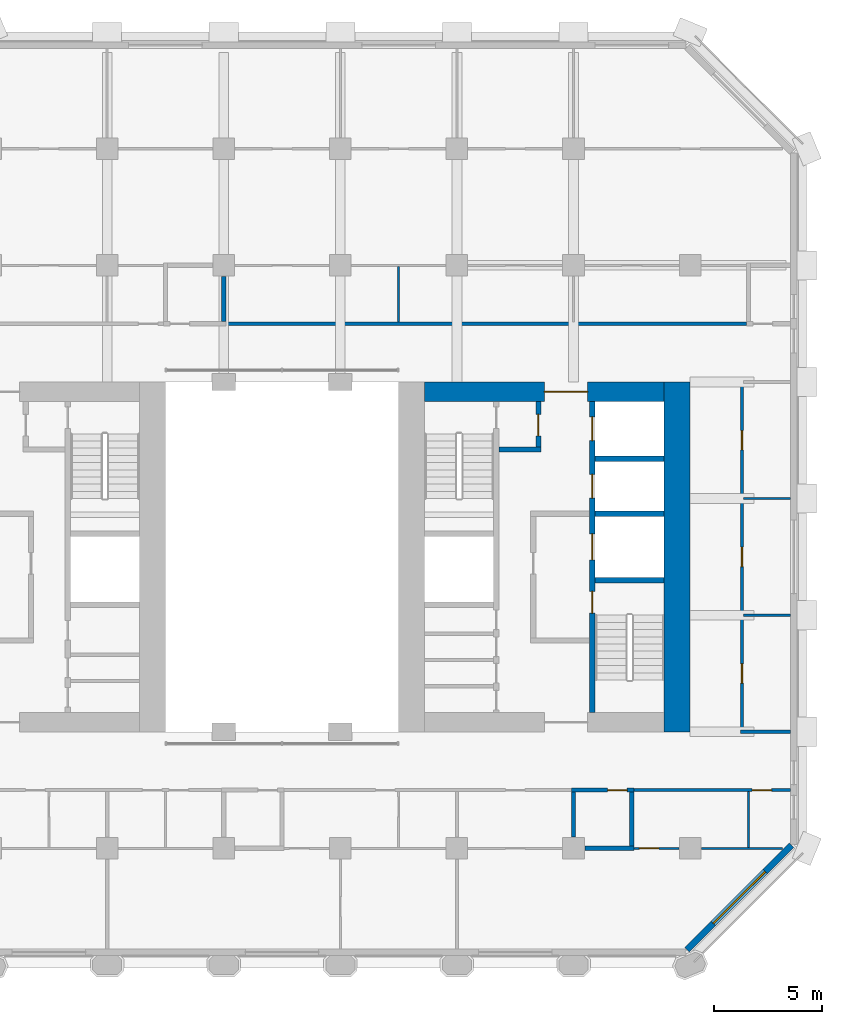
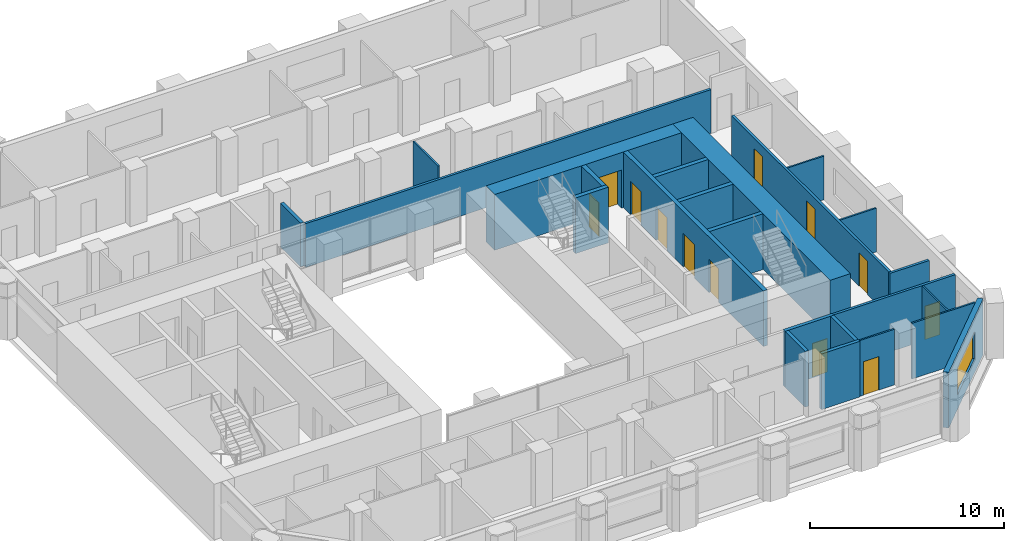
# One storey, part 6 of 11: 24 walls, 12 doors, 1 window, 13 openings.
"""IFC4 building model written with IfcOpenShell, lengths in metres."""

from ifc_helpers import new_model, si_unit, direction, frame, frame_2d, origin, place, context, subcontext, project, spatial, rectangle, extrude, material, layer, layer_set, type_object, element, fill, save


model = new_model("IFC4")

# Units and contexts
model_context = context("Model", 3, precision=1e-05, world=origin(), true_north=direction((0.0, 1.0)))
body_context = subcontext(model_context, "Body", "Model", "MODEL_VIEW")
ifc_project = project(units=[si_unit("LENGTHUNIT", "METRE"), si_unit("AREAUNIT", "SQUARE_METRE"), si_unit("VOLUMEUNIT", "CUBIC_METRE"), si_unit("PLANEANGLEUNIT", "RADIAN"), si_unit("MASSUNIT", "GRAM", prefix="KILO")], contexts=[model_context])

# Site, building, storey
site_placement = place(None, origin())
site = spatial("IfcSite", under=ifc_project, at=site_placement, CompositionType="ELEMENT")
building_placement = place(site_placement, origin())
building = spatial("IfcBuilding", under=site, at=building_placement, Name="Tabaq Tower and Sports Hall", CompositionType="ELEMENT")
storey_placement = place(building_placement, frame((0.0, 0.0, 72.60009765625)))
storey = spatial("IfcBuildingStorey", under=building, at=storey_placement, Name="L16", CompositionType="ELEMENT", Elevation=72.60009765625)

# Wall
ifc_material_1 = material(Name="Concrete C60/75", Category="concrete")
ifc_layer_1 = layer(ifc_material_1, 1.199951171875)
ifc_layer_set_1 = layer_set([ifc_layer_1], Name="Core wall 1200 Concrete C60/75")
wall_type_1 = type_object("IfcWallType", Name="Core wall 1200 Concrete C60/75", PredefinedType="SOLIDWALL", material=ifc_layer_set_1)
wall_1_placement = place(storey_placement, frame((42.60009765625, 32.39990234375, 0.0), z_axis=(0.0, 0.0, 1.0), x_axis=(0.0, -1.0, 0.0)))
element("IfcWall", 1, at=wall_1_placement, inside=storey, type_object=wall_type_1, Name="Core wall E L16", PredefinedType="SOLIDWALL", context=body_context, shape_type="SweptSolid", body=[
    extrude(rectangle(XDim=16.199951171875, YDim=1.199951171875, at=frame_2d((8.10009765625, 0.0))), origin(), (0.0, 0.0, 1.0), 3.5),
])

# Wall, opening, door
ifc_material_2 = material(Name="Concrete C60/75", Category="concrete")
ifc_layer_2 = layer(ifc_material_2, 0.89990234375)
ifc_layer_set_2 = layer_set([ifc_layer_2], Name="Core wall 900 Concrete C60/75")
wall_type_2 = type_object("IfcWallType", Name="Core wall 900 Concrete C60/75", PredefinedType="SOLIDWALL", material=ifc_layer_set_2)
wall_2_placement = place(storey_placement, frame((30.89990234375, 31.949951171875, 0.0), z_axis=(0.0, 0.0, 1.0), x_axis=(1.0, 0.0, 0.0)))
wall_2 = element("IfcWall", 2, at=wall_2_placement, inside=storey, type_object=wall_type_2, Name="Core wall E L16", PredefinedType="SOLIDWALL", context=body_context, shape_type="SweptSolid", body=[
    extrude(rectangle(XDim=11.10009765625, YDim=0.89990234375, at=frame_2d((5.550048828125, 0.0))), origin(), (0.0, 0.0, 1.0), 3.5),
])
opening_1_placement = place(wall_2_placement, frame((5.550048828125, 0.0, 0.0)))
opening_1 = element("IfcOpeningElement", 3, at=opening_1_placement, cuts=wall_2, Name="Opening PD-EL16-02", PredefinedType="OPENING", context=body_context, shape_type="SweptSolid", body=[
    extrude(rectangle(XDim=2.0, YDim=2.39990234375, at=frame_2d((1.0, 1.199951171875))), frame((0.0, 0.449951171875, 0.0), z_axis=(0.0, -1.0, 0.0), x_axis=(1.0, 0.0, 0.0)), (0.0, 0.0, 1.0), 0.89990234375),
])
ifc_material_3 = material(Name="Steel fire door", Category="steel")
door_type_1 = type_object("IfcDoorType", Name="Core entrance door 2000", OperationType="DOUBLE_DOOR_SINGLE_SWING", PredefinedType="DOOR", material=ifc_material_3)
door_1_placement = place(opening_1_placement, origin())
door_1 = element("IfcDoor", 4, at=door_1_placement, inside=storey, type_object=door_type_1, Name="Core entrance north E L16", OperationType="DOUBLE_DOOR_SINGLE_SWING", OverallHeight=2.39990234375, OverallWidth=2.0, PredefinedType="DOOR", context=body_context, shape_type="SweptSolid", body=[
    extrude(rectangle(XDim=2.0, YDim=2.39990234375, at=frame_2d((1.0, 1.199951171875))), frame((0.0, 0.02490234375, 0.0), z_axis=(0.0, -1.0, 0.0), x_axis=(1.0, 0.0, 0.0)), (0.0, 0.0, 1.0), 0.050048828125),
])
fill(opening_1, door_1)

ifc_material_4 = material(Name="Blockwork", Category="masonry")
ifc_layer_3 = layer(ifc_material_4, 0.199951171875)
ifc_layer_set_3 = layer_set([ifc_layer_3], Name="Fire compartment wall 200 Blockwork")
wall_type_3 = type_object("IfcWallType", Name="Fire compartment wall 200 Blockwork", PredefinedType="PARTITIONING", material=ifc_layer_set_3)
wall_3_placement = place(storey_placement, frame((37.699951171875, 13.5, 0.0), z_axis=(0.0, 0.0, 1.0), x_axis=(1.0, 0.0, 0.0)))
wall_3 = element("IfcWall", 5, at=wall_3_placement, inside=storey, type_object=wall_type_3, Name="Compartment wall L16", PredefinedType="PARTITIONING", context=body_context, shape_type="SweptSolid", body=[
    extrude(rectangle(XDim=2.900146484375, YDim=0.199951171875, at=frame_2d((1.4501953125, 0.0))), origin(), (0.0, 0.0, 1.0), 3.5),
])
opening_2_placement = place(wall_3_placement, frame((1.679931640625, 0.0, 0.0)))
opening_2 = element("IfcOpeningElement", 6, at=opening_2_placement, cuts=wall_3, Name="Opening L16-008", PredefinedType="OPENING", context=body_context, shape_type="SweptSolid", body=[
    extrude(rectangle(XDim=0.89990234375, YDim=2.10009765625, at=frame_2d((0.449951171875, 1.050048828125))), frame((0.0, 0.10009765625, 0.0), z_axis=(0.0, -1.0, 0.0), x_axis=(1.0, 0.0, 0.0)), (0.0, 0.0, 1.0), 0.199951171875),
])
ifc_material_5 = material(Name="Steel fire door", Category="steel")
door_type_2 = type_object("IfcDoorType", Name="Plant room door 900 left hand", OperationType="SINGLE_SWING_LEFT", PredefinedType="DOOR", material=ifc_material_5)
door_2_placement = place(opening_2_placement, origin())
door_2 = element("IfcDoor", 7, at=door_2_placement, inside=storey, type_object=door_type_2, Name="Plant room door L16-008", OperationType="SINGLE_SWING_LEFT", OverallHeight=2.10009765625, OverallWidth=0.89990234375, PredefinedType="DOOR", context=body_context, shape_type="SweptSolid", body=[
    extrude(rectangle(XDim=0.89990234375, YDim=2.10009765625, at=frame_2d((0.449951171875, 1.050048828125))), frame((0.0, 0.02490234375, 0.0), z_axis=(0.0, -1.0, 0.0), x_axis=(1.0, 0.0, 0.0)), (0.0, 0.0, 1.0), 0.050048828125),
])
fill(opening_2, door_2)

# Walls
wall_4_placement = place(storey_placement, frame((21.60009765625, 35.199951171875, 0.0), z_axis=(0.0, 0.0, 1.0), x_axis=(0.0, 1.0, 0.0)))
element("IfcWall", 8, at=wall_4_placement, inside=storey, type_object=wall_type_3, Name="Compartment wall L16", PredefinedType="PARTITIONING", context=body_context, shape_type="SweptSolid", body=[
    extrude(rectangle(XDim=2.080078125, YDim=0.199951171875, at=frame_2d((1.0400390625, 0.0))), origin(), (0.0, 0.0, 1.0), 2.75),
])
wall_5_placement = place(storey_placement, frame((37.800048828125, 11.320068359375, 0.0), z_axis=(0.0, 0.0, 1.0), x_axis=(0.0, 1.0, 0.0)))
element("IfcWall", 9, at=wall_5_placement, inside=storey, type_object=wall_type_3, Name="Compartment wall L16", PredefinedType="PARTITIONING", context=body_context, shape_type="SweptSolid", body=[
    extrude(rectangle(XDim=2.079833984375, YDim=0.199951171875, at=frame_2d((1.0400390625, 0.0))), origin(), (0.0, 0.0, 1.0), 3.5),
])
wall_6_placement = place(storey_placement, frame((38.320068359375, 10.800048828125, 0.0), z_axis=(0.0, 0.0, 1.0), x_axis=(1.0, 0.0, 0.0)))
element("IfcWall", 10, at=wall_6_placement, inside=storey, type_object=wall_type_3, Name="Compartment wall L16", PredefinedType="PARTITIONING", context=body_context, shape_type="SweptSolid", body=[
    extrude(rectangle(XDim=2.280029296875, YDim=0.199951171875, at=frame_2d((1.14013671875, 0.0))), origin(), (0.0, 0.0, 1.0), 3.5),
])
wall_7_placement = place(storey_placement, frame((40.5, 10.89990234375, 0.0), z_axis=(0.0, 0.0, 1.0), x_axis=(0.0, 1.0, 0.0)))
element("IfcWall", 11, at=wall_7_placement, inside=storey, type_object=wall_type_3, Name="Compartment wall L16", PredefinedType="PARTITIONING", context=body_context, shape_type="SweptSolid", body=[
    extrude(rectangle(XDim=2.5, YDim=0.199951171875, at=frame_2d((1.25, 0.0))), origin(), (0.0, 0.0, 1.0), 3.5),
])
ifc_material_6 = material(Name="Gypsum board on steel studs", Category="steel")
ifc_layer_4 = layer(ifc_material_6, 0.10009765625)
ifc_layer_set_4 = layer_set([ifc_layer_4], Name="Partition 100 Gypsum board")
wall_type_4 = type_object("IfcWallType", Name="Partition 100 Gypsum board", PredefinedType="PARTITIONING", material=ifc_layer_set_4)
wall_8_placement = place(storey_placement, frame((29.699951171875, 35.175048828125, 0.0), z_axis=(0.0, 0.0, 1.0), x_axis=(0.0, 1.0, 0.0)))
element("IfcWall", 12, at=wall_8_placement, inside=storey, type_object=wall_type_4, Name="Partition wall L16", PredefinedType="PARTITIONING", context=body_context, shape_type="SweptSolid", body=[
    extrude(rectangle(XDim=2.574951171875, YDim=0.10009765625, at=frame_2d((1.28759765625, 0.0))), origin(), (0.0, 0.0, 1.0), 3.5),
])

# Wall, opening, door
wall_9_placement = place(storey_placement, frame((40.60009765625, 10.800048828125, 0.0), z_axis=(0.0, 0.0, 1.0), x_axis=(1.0, 0.0, 0.0)))
wall_9 = element("IfcWall", 13, at=wall_9_placement, inside=storey, type_object=wall_type_4, Name="Partition wall L16", PredefinedType="PARTITIONING", context=body_context, shape_type="SweptSolid", body=[
    extrude(rectangle(XDim=2.079833984375, YDim=0.10009765625, at=frame_2d((1.0400390625, 0.0))), origin(), (0.0, 0.0, 1.0), 3.5),
])
opening_3_placement = place(wall_9_placement, frame((0.25, 0.0, 0.0)))
opening_3 = element("IfcOpeningElement", 14, at=opening_3_placement, cuts=wall_9, Name="Opening L16-027", PredefinedType="OPENING", context=body_context, shape_type="SweptSolid", body=[
    extrude(rectangle(XDim=0.89990234375, YDim=2.10009765625, at=frame_2d((0.449951171875, 1.050048828125))), frame((0.0, 0.050048828125, 0.0), z_axis=(0.0, -1.0, 0.0), x_axis=(1.0, 0.0, 0.0)), (0.0, 0.0, 1.0), 0.10009765625),
])
ifc_material_7 = material(Name="Timber leaf in steel frame", Category="steel")
door_type_3 = type_object("IfcDoorType", Name="Internal door 900 left hand", OperationType="SINGLE_SWING_LEFT", PredefinedType="DOOR", material=ifc_material_7)
door_3_placement = place(opening_3_placement, origin())
door_3 = element("IfcDoor", 15, at=door_3_placement, inside=storey, type_object=door_type_3, Name="Internal door L16-027", OperationType="SINGLE_SWING_LEFT", OverallHeight=2.10009765625, OverallWidth=0.89990234375, PredefinedType="DOOR", context=body_context, shape_type="SweptSolid", body=[
    extrude(rectangle(XDim=0.89990234375, YDim=2.10009765625, at=frame_2d((0.449951171875, 1.050048828125))), frame((0.0, 0.02490234375, 0.0), z_axis=(0.0, -1.0, 0.0), x_axis=(1.0, 0.0, 0.0)), (0.0, 0.0, 1.0), 0.050048828125),
])
fill(opening_3, door_3)

# Walls
wall_10_placement = place(storey_placement, frame((45.89990234375, 10.85009765625, 0.0), z_axis=(0.0, 0.0, 1.0), x_axis=(0.0, 1.0, 0.0)))
element("IfcWall", 16, at=wall_10_placement, inside=storey, type_object=wall_type_4, Name="Partition wall L16", PredefinedType="PARTITIONING", context=body_context, shape_type="SweptSolid", body=[
    extrude(rectangle(XDim=2.574951171875, YDim=0.10009765625, at=frame_2d((1.28759765625, 0.0))), origin(), (0.0, 0.0, 1.0), 3.5),
])
wall_11_placement = place(storey_placement, frame((43.719970703125, 10.800048828125, 0.0), z_axis=(0.0, 0.0, 1.0), x_axis=(1.0, 0.0, 0.0)))
element("IfcWall", 17, at=wall_11_placement, inside=storey, type_object=wall_type_4, Name="Partition wall L16", PredefinedType="PARTITIONING", context=body_context, shape_type="SweptSolid", body=[
    extrude(rectangle(XDim=3.767822265625, YDim=0.10009765625, at=frame_2d((1.8837890625, 0.0))), origin(), (0.0, 0.0, 1.0), 3.5),
])
for number, where, z_axis, x_axis, name in (
    (18, (47.84912109375, 21.60009765625, 0.0), (0.0, 0.0, 1.0), (-1.0, 0.0, 0.0), "Partition wall L16"),
    (19, (47.84912109375, 27.0, 0.0), (0.0, 0.0, 1.0), (-1.0, 0.0, 0.0), "Partition wall L16"),
):
    element("IfcWall", number, at=place(storey_placement, frame(where, z_axis=z_axis, x_axis=x_axis)), inside=storey, type_object=wall_type_4, Name=name, PredefinedType="PARTITIONING", context=body_context, shape_type="SweptSolid", body=[
        extrude(rectangle(XDim=2.174072265625, YDim=0.10009765625, at=frame_2d((1.0869140625, 0.0))), origin(), (0.0, 0.0, 1.0), 2.75),
    ])
ifc_material_8 = material(Name="Blockwork", Category="masonry")
ifc_layer_5 = layer(ifc_material_8, 0.14990234375)
ifc_layer_set_5 = layer_set([ifc_layer_5], Name="Separating wall 150 Blockwork")
wall_type_5 = type_object("IfcWallType", Name="Separating wall 150 Blockwork", PredefinedType="PARTITIONING", material=ifc_layer_set_5)
wall_12_placement = place(storey_placement, frame((47.84912109375, 16.199951171875, 0.0), z_axis=(0.0, 0.0, 1.0), x_axis=(-1.0, 0.0, 0.0)))
element("IfcWall", 20, at=wall_12_placement, inside=storey, type_object=wall_type_5, Name="Separating wall L16", PredefinedType="PARTITIONING", context=body_context, shape_type="SweptSolid", body=[
    extrude(rectangle(XDim=2.32421875, YDim=0.14990234375, at=frame_2d((1.162109375, 0.0))), origin(), (0.0, 0.0, 1.0), 2.75),
])

# Wall, openings, doors
wall_13_placement = place(storey_placement, frame((45.60009765625, 16.27490234375, 0.0), z_axis=(0.0, 0.0, 1.0), x_axis=(0.0, 1.0, 0.0)))
wall_13 = element("IfcWall", 21, at=wall_13_placement, inside=storey, type_object=wall_type_5, Name="Separating wall L16", PredefinedType="PARTITIONING", context=body_context, shape_type="SweptSolid", body=[
    extrude(rectangle(XDim=16.2001953125, YDim=0.14990234375, at=frame_2d((8.10009765625, 0.0))), origin(), (0.0, 0.0, 1.0), 2.75),
])
opening_4_placement = place(wall_13_placement, frame((2.175048828125, 0.0, 0.0)))
opening_4 = element("IfcOpeningElement", 22, at=opening_4_placement, cuts=wall_13, Name="Opening L16-010", PredefinedType="OPENING", context=body_context, shape_type="SweptSolid", body=[
    extrude(rectangle(XDim=0.89990234375, YDim=2.10009765625, at=frame_2d((0.449951171875, 1.050048828125))), frame((0.0, 0.074951171875, 0.0), z_axis=(0.0, -1.0, 0.0), x_axis=(1.0, 0.0, 0.0)), (0.0, 0.0, 1.0), 0.14990234375),
])
opening_5_placement = place(wall_13_placement, frame((7.574951171875, 0.0, 0.0)))
opening_5 = element("IfcOpeningElement", 23, at=opening_5_placement, cuts=wall_13, Name="Opening L16-011", PredefinedType="OPENING", context=body_context, shape_type="SweptSolid", body=[
    extrude(rectangle(XDim=0.89990234375, YDim=2.10009765625, at=frame_2d((0.449951171875, 1.050048828125))), frame((0.0, 0.074951171875, 0.0), z_axis=(0.0, -1.0, 0.0), x_axis=(1.0, 0.0, 0.0)), (0.0, 0.0, 1.0), 0.14990234375),
])
opening_6_placement = place(wall_13_placement, frame((12.97509765625, 0.0, 0.0)))
opening_6 = element("IfcOpeningElement", 24, at=opening_6_placement, cuts=wall_13, Name="Opening L16-012", PredefinedType="OPENING", context=body_context, shape_type="SweptSolid", body=[
    extrude(rectangle(XDim=0.89990234375, YDim=2.10009765625, at=frame_2d((0.449951171875, 1.050048828125))), frame((0.0, 0.074951171875, 0.0), z_axis=(0.0, -1.0, 0.0), x_axis=(1.0, 0.0, 0.0)), (0.0, 0.0, 1.0), 0.14990234375),
])
ifc_material_9 = material(Name="Timber leaf in steel frame", Category="steel")
door_type_4 = type_object("IfcDoorType", Name="Internal door 900 right hand", OperationType="SINGLE_SWING_RIGHT", PredefinedType="DOOR", material=ifc_material_9)
door_4_placement = place(opening_4_placement, origin())
door_4 = element("IfcDoor", 25, at=door_4_placement, inside=storey, type_object=door_type_4, Name="Internal door L16-010", OperationType="SINGLE_SWING_RIGHT", OverallHeight=2.10009765625, OverallWidth=0.89990234375, PredefinedType="DOOR", context=body_context, shape_type="SweptSolid", body=[
    extrude(rectangle(XDim=0.89990234375, YDim=2.10009765625, at=frame_2d((0.449951171875, 1.050048828125))), frame((0.0, 0.02490234375, 0.0), z_axis=(0.0, -1.0, 0.0), x_axis=(1.0, 0.0, 0.0)), (0.0, 0.0, 1.0), 0.050048828125),
])
fill(opening_4, door_4)
door_5_placement = place(opening_5_placement, origin())
door_5 = element("IfcDoor", 26, at=door_5_placement, inside=storey, type_object=door_type_4, Name="Internal door L16-011", OperationType="SINGLE_SWING_RIGHT", OverallHeight=2.10009765625, OverallWidth=0.89990234375, PredefinedType="DOOR", context=body_context, shape_type="SweptSolid", body=[
    extrude(rectangle(XDim=0.89990234375, YDim=2.10009765625, at=frame_2d((0.449951171875, 1.050048828125))), frame((0.0, 0.02490234375, 0.0), z_axis=(0.0, -1.0, 0.0), x_axis=(1.0, 0.0, 0.0)), (0.0, 0.0, 1.0), 0.050048828125),
])
fill(opening_5, door_5)
door_6_placement = place(opening_6_placement, origin())
door_6 = element("IfcDoor", 27, at=door_6_placement, inside=storey, type_object=door_type_4, Name="Internal door L16-012", OperationType="SINGLE_SWING_RIGHT", OverallHeight=2.10009765625, OverallWidth=0.89990234375, PredefinedType="DOOR", context=body_context, shape_type="SweptSolid", body=[
    extrude(rectangle(XDim=0.89990234375, YDim=2.10009765625, at=frame_2d((0.449951171875, 1.050048828125))), frame((0.0, 0.02490234375, 0.0), z_axis=(0.0, -1.0, 0.0), x_axis=(1.0, 0.0, 0.0)), (0.0, 0.0, 1.0), 0.050048828125),
])
fill(opening_6, door_6)

# Wall
wall_14_placement = place(storey_placement, frame((45.800048828125, 35.10009765625, 0.0), z_axis=(0.0, 0.0, 1.0), x_axis=(-1.0, 0.0, 0.0)))
element("IfcWall", 28, at=wall_14_placement, inside=storey, type_object=wall_type_5, Name="Separating wall L16", PredefinedType="PARTITIONING", context=body_context, shape_type="SweptSolid", body=[
    extrude(rectangle(XDim=24.10009765625, YDim=0.14990234375, at=frame_2d((12.050048828125, 0.0))), origin(), (0.0, 0.0, 1.0), 2.75),
])

# Wall, opening, door
wall_15_placement = place(storey_placement, frame((40.60009765625, 13.5, 0.0), z_axis=(0.0, 0.0, 1.0), x_axis=(1.0, 0.0, 0.0)))
wall_15 = element("IfcWall", 29, at=wall_15_placement, inside=storey, type_object=wall_type_5, Name="Separating wall L16", PredefinedType="PARTITIONING", context=body_context, shape_type="SweptSolid", body=[
    extrude(rectangle(XDim=7.2490234375, YDim=0.14990234375, at=frame_2d((3.62451171875, 0.0))), origin(), (0.0, 0.0, 1.0), 3.5),
])
opening_7_placement = place(wall_15_placement, frame((5.469970703125, 0.0, 0.0)))
opening_7 = element("IfcOpeningElement", 30, at=opening_7_placement, cuts=wall_15, Name="Opening L16-009", PredefinedType="OPENING", context=body_context, shape_type="SweptSolid", body=[
    extrude(rectangle(XDim=0.89990234375, YDim=2.10009765625, at=frame_2d((0.449951171875, 1.050048828125))), frame((0.0, 0.074951171875, 0.0), z_axis=(0.0, -1.0, 0.0), x_axis=(1.0, 0.0, 0.0)), (0.0, 0.0, 1.0), 0.14990234375),
])
ifc_material_10 = material(Name="Steel fire door", Category="steel")
door_type_5 = type_object("IfcDoorType", Name="Entrance door 900 left hand", OperationType="SINGLE_SWING_LEFT", PredefinedType="DOOR", material=ifc_material_10)
door_7_placement = place(opening_7_placement, origin())
door_7 = element("IfcDoor", 31, at=door_7_placement, inside=storey, type_object=door_type_5, Name="Entrance door L16-009", OperationType="SINGLE_SWING_LEFT", OverallHeight=2.10009765625, OverallWidth=0.89990234375, PredefinedType="DOOR", context=body_context, shape_type="SweptSolid", body=[
    extrude(rectangle(XDim=0.89990234375, YDim=2.10009765625, at=frame_2d((0.449951171875, 1.050048828125))), frame((0.0, 0.02490234375, 0.0), z_axis=(0.0, -1.0, 0.0), x_axis=(1.0, 0.0, 0.0)), (0.0, 0.0, 1.0), 0.050048828125),
])
fill(opening_7, door_7)

# Wall, openings, doors
ifc_material_11 = material(Name="Concrete C40/50", Category="concrete")
ifc_layer_6 = layer(ifc_material_11, 0.25)
ifc_layer_set_6 = layer_set([ifc_layer_6], Name="Shaft and stair wall 250 Concrete C40/50")
wall_type_6 = type_object("IfcWallType", Name="Shaft and stair wall 250 Concrete C40/50", PredefinedType="SOLIDWALL", material=ifc_layer_set_6)
wall_16_placement = place(storey_placement, frame((38.675048828125, 17.10009765625, 0.0), z_axis=(0.0, 0.0, 1.0), x_axis=(0.0, 1.0, 0.0)))
wall_16 = element("IfcWall", 32, at=wall_16_placement, inside=storey, type_object=wall_type_6, Name="Shaft wall E L16", PredefinedType="SOLIDWALL", context=body_context, shape_type="SweptSolid", body=[
    extrude(rectangle(XDim=14.39990234375, YDim=0.25, at=frame_2d((7.199951171875, 0.0))), origin(), (0.0, 0.0, 1.0), 3.5),
])
opening_8_placement = place(wall_16_placement, frame((4.60009765625, 0.0, 0.0)))
opening_8 = element("IfcOpeningElement", 33, at=opening_8_placement, cuts=wall_16, Name="Opening SD-EL16-03", PredefinedType="OPENING", context=body_context, shape_type="SweptSolid", body=[
    extrude(rectangle(XDim=1.0, YDim=2.10009765625, at=frame_2d((0.5, 1.050048828125))), frame((0.0, 0.125, 0.0), z_axis=(0.0, -1.0, 0.0), x_axis=(1.0, 0.0, 0.0)), (0.0, 0.0, 1.0), 0.25),
])
opening_9_placement = place(wall_16_placement, frame((7.0625, 0.0, 0.0)))
opening_9 = element("IfcOpeningElement", 34, at=opening_9_placement, cuts=wall_16, Name="Opening LD-FF2-L16", PredefinedType="OPENING", context=body_context, shape_type="SweptSolid", body=[
    extrude(rectangle(XDim=1.199951171875, YDim=2.10009765625, at=frame_2d((0.60009765625, 1.050048828125))), frame((0.0, 0.125, 0.0), z_axis=(0.0, -1.0, 0.0), x_axis=(1.0, 0.0, 0.0)), (0.0, 0.0, 1.0), 0.25),
])
opening_10_placement = place(wall_16_placement, frame((9.925048828125, 0.0, 0.0)))
opening_10 = element("IfcOpeningElement", 35, at=opening_10_placement, cuts=wall_16, Name="Opening LD-LR3-L16", PredefinedType="OPENING", context=body_context, shape_type="SweptSolid", body=[
    extrude(rectangle(XDim=1.10009765625, YDim=2.10009765625, at=frame_2d((0.550048828125, 1.050048828125))), frame((0.0, 0.125, 0.0), z_axis=(0.0, -1.0, 0.0), x_axis=(1.0, 0.0, 0.0)), (0.0, 0.0, 1.0), 0.25),
])
opening_11_placement = place(wall_16_placement, frame((12.58740234375, 0.0, 0.0)))
opening_11 = element("IfcOpeningElement", 36, at=opening_11_placement, cuts=wall_16, Name="Opening LD-LR4-L16", PredefinedType="OPENING", context=body_context, shape_type="SweptSolid", body=[
    extrude(rectangle(XDim=1.10009765625, YDim=2.10009765625, at=frame_2d((0.550048828125, 1.050048828125))), frame((0.0, 0.125, 0.0), z_axis=(0.0, -1.0, 0.0), x_axis=(1.0, 0.0, 0.0)), (0.0, 0.0, 1.0), 0.25),
])
ifc_material_12 = material(Name="Stainless steel", Category="steel")
door_type_6 = type_object("IfcDoorType", Name="Lift landing door 1100", OperationType="DOUBLE_DOOR_SLIDING", PredefinedType="DOOR", material=ifc_material_12)
door_8_placement = place(opening_10_placement, origin())
door_8 = element("IfcDoor", 37, at=door_8_placement, inside=storey, type_object=door_type_6, Name="Lift landing door LR3 E L16", OperationType="DOUBLE_DOOR_SLIDING", OverallHeight=2.10009765625, OverallWidth=1.10009765625, PredefinedType="DOOR", context=body_context, shape_type="SweptSolid", body=[
    extrude(rectangle(XDim=1.10009765625, YDim=2.10009765625, at=frame_2d((0.550048828125, 1.050048828125))), frame((0.0, 0.02490234375, 0.0), z_axis=(0.0, -1.0, 0.0), x_axis=(1.0, 0.0, 0.0)), (0.0, 0.0, 1.0), 0.050048828125),
])
fill(opening_10, door_8)
door_9_placement = place(opening_11_placement, origin())
door_9 = element("IfcDoor", 38, at=door_9_placement, inside=storey, type_object=door_type_6, Name="Lift landing door LR4 E L16", OperationType="DOUBLE_DOOR_SLIDING", OverallHeight=2.10009765625, OverallWidth=1.10009765625, PredefinedType="DOOR", context=body_context, shape_type="SweptSolid", body=[
    extrude(rectangle(XDim=1.10009765625, YDim=2.10009765625, at=frame_2d((0.550048828125, 1.050048828125))), frame((0.0, 0.02490234375, 0.0), z_axis=(0.0, -1.0, 0.0), x_axis=(1.0, 0.0, 0.0)), (0.0, 0.0, 1.0), 0.050048828125),
])
fill(opening_11, door_9)
ifc_material_13 = material(Name="Stainless steel", Category="steel")
door_type_7 = type_object("IfcDoorType", Name="Lift landing door 1200", OperationType="DOUBLE_DOOR_SLIDING", PredefinedType="DOOR", material=ifc_material_13)
door_10_placement = place(opening_9_placement, origin())
door_10 = element("IfcDoor", 39, at=door_10_placement, inside=storey, type_object=door_type_7, Name="Lift landing door FF2 E L16", OperationType="DOUBLE_DOOR_SLIDING", OverallHeight=2.10009765625, OverallWidth=1.199951171875, PredefinedType="DOOR", context=body_context, shape_type="SweptSolid", body=[
    extrude(rectangle(XDim=1.199951171875, YDim=2.10009765625, at=frame_2d((0.60009765625, 1.050048828125))), frame((0.0, 0.02490234375, 0.0), z_axis=(0.0, -1.0, 0.0), x_axis=(1.0, 0.0, 0.0)), (0.0, 0.0, 1.0), 0.050048828125),
])
fill(opening_9, door_10)
ifc_material_14 = material(Name="Steel fire door", Category="steel")
door_type_8 = type_object("IfcDoorType", Name="Stair door 1000", OperationType="SINGLE_SWING_LEFT", PredefinedType="DOOR", material=ifc_material_14)
door_11_placement = place(opening_8_placement, origin())
door_11 = element("IfcDoor", 40, at=door_11_placement, inside=storey, type_object=door_type_8, Name="Stair door ST3 E L16", OperationType="SINGLE_SWING_LEFT", OverallHeight=2.10009765625, OverallWidth=1.0, PredefinedType="DOOR", context=body_context, shape_type="SweptSolid", body=[
    extrude(rectangle(XDim=1.0, YDim=2.10009765625, at=frame_2d((0.5, 1.050048828125))), frame((0.0, 0.02490234375, 0.0), z_axis=(0.0, -1.0, 0.0), x_axis=(1.0, 0.0, 0.0)), (0.0, 0.0, 1.0), 0.050048828125),
])
fill(opening_8, door_11)

# Walls
for number, where, z_axis, x_axis, name in (
    (41, (38.800048828125, 23.22509765625, 0.0), (0.0, 0.0, 1.0), (1.0, 0.0, 0.0), "Stair enclosure wall E L16"),
    (42, (38.800048828125, 26.300048828125, 0.0), (0.0, 0.0, 1.0), (1.0, 0.0, 0.0), "Shaft wall E L16"),
):
    element("IfcWall", number, at=place(storey_placement, frame(where, z_axis=z_axis, x_axis=x_axis)), inside=storey, type_object=wall_type_6, Name=name, PredefinedType="SOLIDWALL", context=body_context, shape_type="SweptSolid", body=[
        extrude(rectangle(XDim=3.199951171875, YDim=0.25, at=frame_2d((1.60009765625, 0.0))), origin(), (0.0, 0.0, 1.0), 3.5),
    ])

# Wall, opening, door
wall_17_placement = place(storey_placement, frame((36.175048828125, 29.39990234375, 0.0), z_axis=(0.0, 0.0, 1.0), x_axis=(0.0, 1.0, 0.0)))
wall_17 = element("IfcWall", 43, at=wall_17_placement, inside=storey, type_object=wall_type_6, Name="Fire-fighting lobby wall E L16", PredefinedType="SOLIDWALL", context=body_context, shape_type="SweptSolid", body=[
    extrude(rectangle(XDim=2.10009765625, YDim=0.25, at=frame_2d((1.050048828125, 0.0))), origin(), (0.0, 0.0, 1.0), 3.5),
])
opening_12_placement = place(wall_17_placement, frame((0.5, 0.0, 0.0)))
opening_12 = element("IfcOpeningElement", 44, at=opening_12_placement, cuts=wall_17, Name="Opening FD-EL16-06", PredefinedType="OPENING", context=body_context, shape_type="SweptSolid", body=[
    extrude(rectangle(XDim=1.0, YDim=2.10009765625, at=frame_2d((0.5, 1.050048828125))), frame((0.0, 0.125, 0.0), z_axis=(0.0, -1.0, 0.0), x_axis=(1.0, 0.0, 0.0)), (0.0, 0.0, 1.0), 0.25),
])
ifc_material_15 = material(Name="Steel fire door", Category="steel")
door_type_9 = type_object("IfcDoorType", Name="Fire-fighting lobby door 1000", OperationType="SINGLE_SWING_LEFT", PredefinedType="DOOR", material=ifc_material_15)
door_12_placement = place(opening_12_placement, origin())
door_12 = element("IfcDoor", 45, at=door_12_placement, inside=storey, type_object=door_type_9, Name="Stair lobby door E L16", OperationType="SINGLE_SWING_LEFT", OverallHeight=2.10009765625, OverallWidth=1.0, PredefinedType="DOOR", context=body_context, shape_type="SweptSolid", body=[
    extrude(rectangle(XDim=1.0, YDim=2.10009765625, at=frame_2d((0.5, 1.050048828125))), frame((0.0, 0.02490234375, 0.0), z_axis=(0.0, -1.0, 0.0), x_axis=(1.0, 0.0, 0.0)), (0.0, 0.0, 1.0), 0.050048828125),
])
fill(opening_12, door_12)

# Walls
wall_18_placement = place(storey_placement, frame((34.35009765625, 29.27490234375, 0.0), z_axis=(0.0, 0.0, 1.0), x_axis=(1.0, 0.0, 0.0)))
element("IfcWall", 46, at=wall_18_placement, inside=storey, type_object=wall_type_6, Name="Fire-fighting lobby wall E L16", PredefinedType="SOLIDWALL", context=body_context, shape_type="SweptSolid", body=[
    extrude(rectangle(XDim=1.949951171875, YDim=0.25, at=frame_2d((0.97509765625, 0.0))), origin(), (0.0, 0.0, 1.0), 3.5),
])
wall_19_placement = place(storey_placement, frame((38.800048828125, 28.85009765625, 0.0), z_axis=(0.0, 0.0, 1.0), x_axis=(1.0, 0.0, 0.0)))
element("IfcWall", 47, at=wall_19_placement, inside=storey, type_object=wall_type_6, Name="Shaft wall E L16", PredefinedType="SOLIDWALL", context=body_context, shape_type="SweptSolid", body=[
    extrude(rectangle(XDim=3.199951171875, YDim=0.25, at=frame_2d((1.60009765625, 0.0))), origin(), (0.0, 0.0, 1.0), 3.5),
])

# Wall, opening, window
ifc_material_16 = material(Name="White precast concrete C60/75", Category="concrete")
ifc_layer_7 = layer(ifc_material_16, 0.300048828125)
ifc_layer_set_7 = layer_set([ifc_layer_7], Name="White precast concrete C60/75 external wall 300")
wall_type_7 = type_object("IfcWallType", Name="White precast concrete C60/75 external wall 300", PredefinedType="SOLIDWALL", material=ifc_layer_set_7)
wall_20_placement = place(storey_placement, frame((43.050537109375, 6.098876953125, 0.0), z_axis=(0.0, 0.0, 1.0), x_axis=(0.707106781187, 0.707106781187, 0.0)))
wall_20 = element("IfcWall", 48, at=wall_20_placement, inside=storey, type_object=wall_type_7, Name="External Wall L16 SE", PredefinedType="SOLIDWALL", context=body_context, shape_type="SweptSolid", body=[
    extrude(rectangle(XDim=6.85986328125, YDim=0.300048828125, at=frame_2d((3.429931640625, 0.0))), origin(), (0.0, 0.0, 1.0), 3.5),
])
opening_13_placement = place(wall_20_placement, frame((1.729736328125, 0.0, 0.89990234375)))
opening_13 = element("IfcOpeningElement", 49, at=opening_13_placement, cuts=wall_20, Name="Opening W1A", PredefinedType="OPENING", context=body_context, shape_type="SweptSolid", body=[
    extrude(rectangle(XDim=3.39990234375, YDim=1.699951171875, at=frame_2d((1.699951171875, 0.85009765625))), frame((0.0, 0.16015625, 0.0), z_axis=(0.0, -1.0, 0.0), x_axis=(1.0, 0.0, 0.0)), (0.0, 0.0, 1.0), 0.320068359375),
])
ifc_material_17 = material(Name="Aluminium framed clear glazing", Category="aluminium")
window_type = type_object("IfcWindowType", Name="Window W1A", PartitioningType="SINGLE_PANEL", PredefinedType="WINDOW", material=ifc_material_17)
window_placement = place(opening_13_placement, origin())
window = element("IfcWindow", 50, at=window_placement, inside=storey, type_object=window_type, Name="Window W1A L16", OverallHeight=1.699951171875, OverallWidth=3.39990234375, PartitioningType="SINGLE_PANEL", PredefinedType="WINDOW", context=body_context, shape_type="SweptSolid", body=[
    extrude(rectangle(XDim=3.39990234375, YDim=1.699951171875, at=frame_2d((1.699951171875, 0.85009765625))), frame((0.0, 0.030029296875, 0.0), z_axis=(0.0, -1.0, 0.0), x_axis=(1.0, 0.0, 0.0)), (0.0, 0.0, 1.0), 0.06005859375),
])
fill(opening_13, window)

save(model, "model.ifc")
